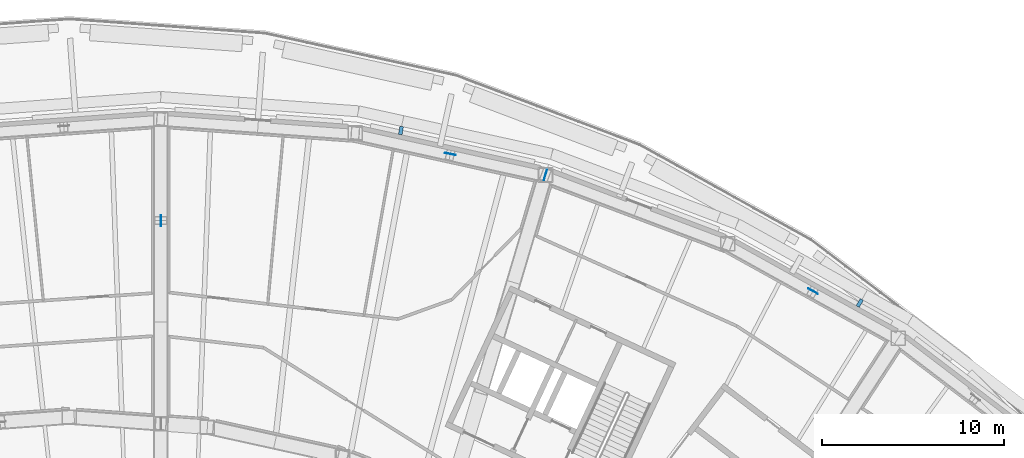
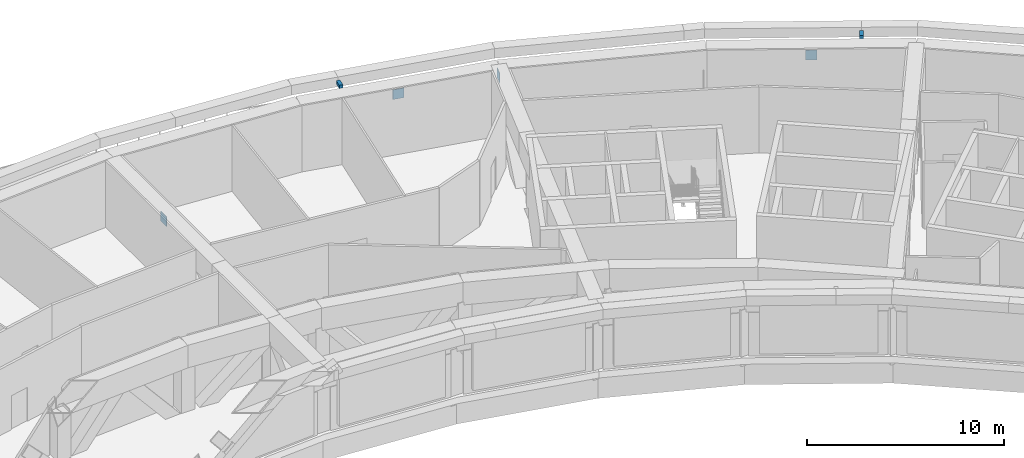
# One storey, part 19 of 24: 6 discrete accessories.
"""IFC4 building model written with IfcOpenShell, lengths in metres."""

from ifc_helpers import new_model, si_unit, direction, frame, origin, origin_2d, place, context, subcontext, project, spatial, rectangle, extrude, material, type_object, element, save


model = new_model("IFC4")

# Units and contexts
model_context = context("Model", 3, precision=1e-05, world=origin(), true_north=direction((0.0, 1.0)))
body_context = subcontext(model_context, "Body", "Model", "MODEL_VIEW")
ifc_project = project(units=[si_unit("LENGTHUNIT", "METRE"), si_unit("AREAUNIT", "SQUARE_METRE"), si_unit("VOLUMEUNIT", "CUBIC_METRE"), si_unit("PLANEANGLEUNIT", "RADIAN"), si_unit("MASSUNIT", "GRAM", prefix="KILO")], contexts=[model_context])

# Site, building, storey
site_placement = place(None, origin())
site = spatial("IfcSite", under=ifc_project, at=site_placement, CompositionType="ELEMENT")
building_placement = place(site_placement, origin())
building = spatial("IfcBuilding", under=site, at=building_placement, Name="Tuul Gate Civic Tower", CompositionType="ELEMENT")
storey_placement = place(building_placement, frame((0.0, 0.0, 94.800048828125)))
storey = spatial("IfcBuildingStorey", under=building, at=storey_placement, Name="Plant and refuge floor 3", CompositionType="ELEMENT", Elevation=94.800048828125)

# Discrete accessories
ifc_material_1 = material(Name="Steel S355", Category="steel")
discrete_accessory_type_1 = type_object("IfcDiscreteAccessoryType", Name="Gusset plate", PredefinedType="BRACKET", material=ifc_material_1)
for number, where, z_axis, x_axis, name in (
    (1, (30.90380859375, 10.61962890625, 3.10302734375), (0.0, 0.0, 1.0), (-0.285169103875, -0.958477220488, 0.0), "Gusset plate"),
    (2, (9.8291015625, 8.11962890625, 3.10302734375), (0.0, 0.0, 1.0), (0.0, 1.0, 0.0), "Gusset plate"),
    (3, (25.69140625, 11.76611328125, 3.10302734375), (0.0, 0.0, 1.0), (0.976564607871, -0.215224456448, 0.0), "Gusset plate"),
    (4, (45.56201171875, 4.251953125, 3.10302734375), (0.0, 0.0, 1.0), (0.87462518169, -0.484799743765, 0.0), "Gusset plate"),
):
    element("IfcDiscreteAccessory", number, at=place(storey_placement, frame(where, z_axis=z_axis, x_axis=x_axis)), inside=storey, type_object=discrete_accessory_type_1, Name=name, PredefinedType="BRACKET", context=body_context, shape_type="SweptSolid", body=[
        extrude(rectangle(XDim=0.60009765625, YDim=0.030029296875, at=origin_2d()), origin(), (0.0, 0.0, 1.0), 0.60009765625),
    ])
ifc_material_2 = material(Name="Stainless steel", Category="steel")
discrete_accessory_type_2 = type_object("IfcDiscreteAccessoryType", Name="Screen bracket", PredefinedType="BRACKET", material=ifc_material_2)
for number, where, z_axis, x_axis, name in (
    (5, (48.12744140625, 3.60205078125, 4.0498046875), (0.0, 0.0, 1.0), (0.514589192581, 0.857436856497, 0.0), "Screen bracket 4"),
    (6, (22.98828125, 13.052490234375, 4.0498046875), (0.0, 0.0, 1.0), (0.176811611988, 0.984244712389, 0.0), "Screen bracket 7"),
):
    element("IfcDiscreteAccessory", number, at=place(storey_placement, frame(where, z_axis=z_axis, x_axis=x_axis)), inside=storey, type_object=discrete_accessory_type_2, Name=name, PredefinedType="BRACKET", context=body_context, shape_type="SweptSolid", body=[
        extrude(rectangle(XDim=0.4501953125, YDim=0.199951171875, at=origin_2d()), origin(), (0.0, 0.0, 1.0), 0.199951171875),
    ])

save(model, "model.ifc")
